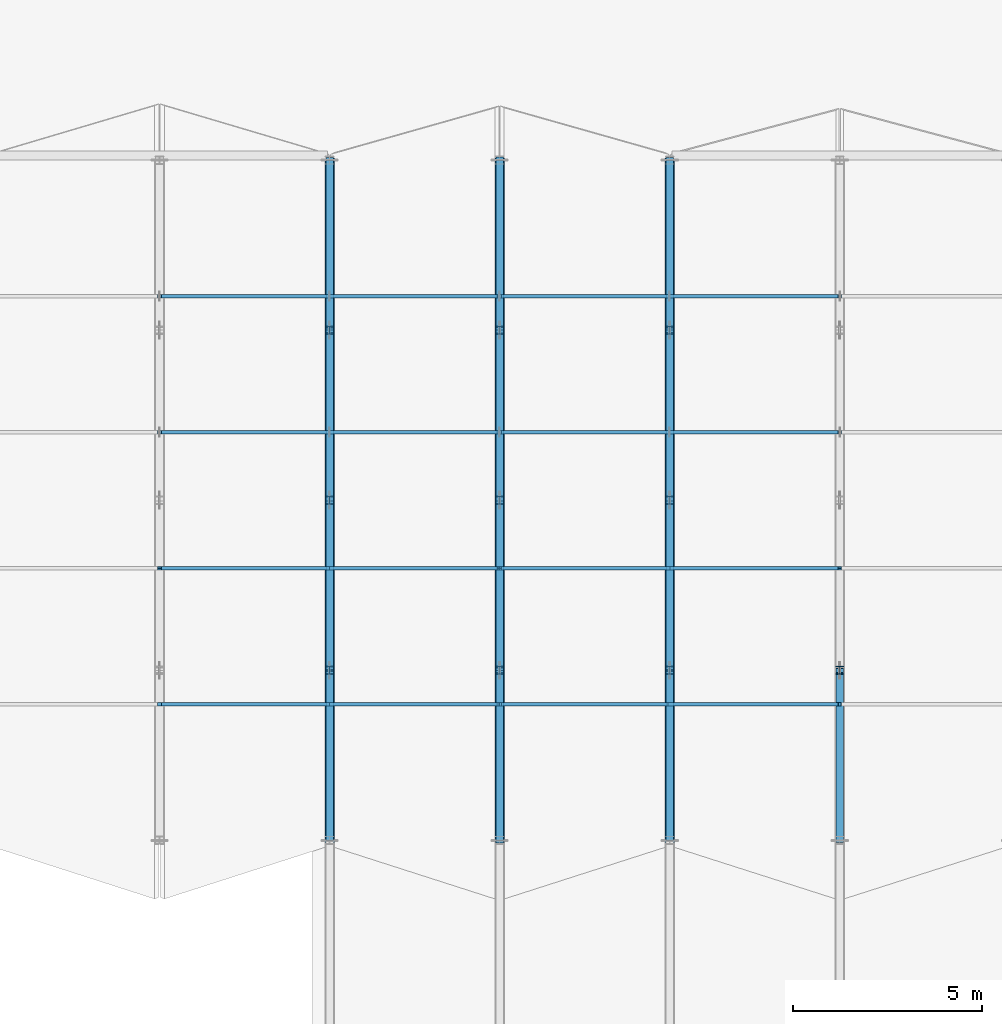
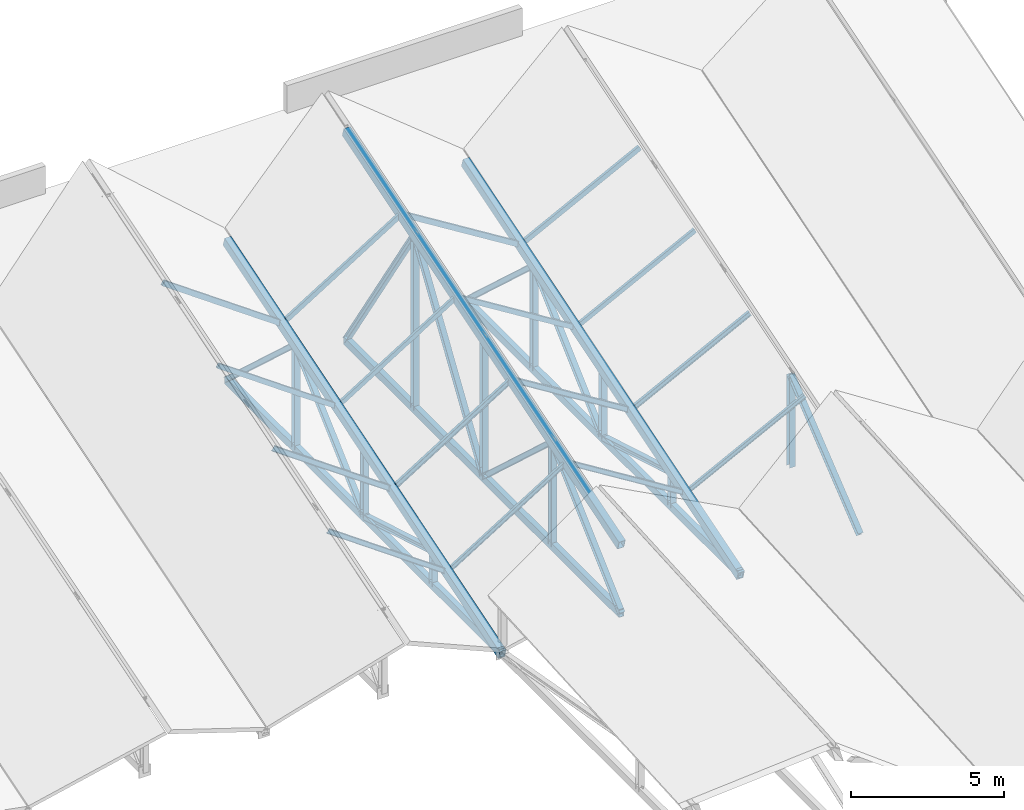
# One storey, part 66 of 142: 45 members.
"""IFC4 building model written with IfcOpenShell, lengths in metres."""

from ifc_helpers import new_model, si_unit, direction, frame, origin, origin_2d, place, context, subcontext, project, spatial, hollow_rectangle, i_section, extrude, material, material_profile, profile_set, type_object, element, save


model = new_model("IFC4")

# Units and contexts
model_context = context("Model", 3, precision=1e-05, world=origin(), true_north=direction((0.0, 1.0)))
body_context = subcontext(model_context, "Body", "Model", "MODEL_VIEW")
ifc_project = project(units=[si_unit("LENGTHUNIT", "METRE"), si_unit("AREAUNIT", "SQUARE_METRE"), si_unit("VOLUMEUNIT", "CUBIC_METRE"), si_unit("PLANEANGLEUNIT", "RADIAN"), si_unit("MASSUNIT", "GRAM", prefix="KILO")], contexts=[model_context])

# Site, building, storey
site_placement = place(None, origin())
site = spatial("IfcSite", under=ifc_project, at=site_placement, CompositionType="ELEMENT")
building_placement = place(site_placement, origin())
building = spatial("IfcBuilding", under=site, at=building_placement, Name="Montelvaro Courts of Justice", CompositionType="ELEMENT")
storey_placement = place(building_placement, frame((0.0, 0.0, 14.39990234375)))
storey = spatial("IfcBuildingStorey", under=building, at=storey_placement, Name="L03", CompositionType="ELEMENT", Elevation=14.39990234375)

# Members
ifc_material = material(Name="Steel S355", Category="steel")
ifc_material_profile_1 = material_profile(ifc_material, i_section(OverallWidth=0.199951171875, OverallDepth=0.18994140625, WebThickness=0.006591796875, FlangeThickness=0.010009765625, at=origin_2d()), Name="HEA 200")
ifc_profile_set_1 = profile_set([ifc_material_profile_1], Name="Steel S355")
member_type_1 = type_object("IfcMemberType", Name="Mem_HEA200_Brace", PredefinedType="BRACE", material=ifc_profile_set_1)
for number, where, z_axis, x_axis, name in (
    (1, (54.0, 78.0, -0.2998046875), (0.0, 0.959000997748, 0.283402692857), (-1.0, 0.0, 0.0), "Roof Truss Web MB-02 ROOF-V1-VTR05-W1"),
    (2, (54.0, 82.5, 1.030029296875), (0.0, 0.959000997748, -0.283402692857), (-1.0, 0.0, 0.0), "Roof Truss Web MB-02 ROOF-V1-VTR05-W2"),
):
    element("IfcMember", number, at=place(storey_placement, frame(where, z_axis=z_axis, x_axis=x_axis)), inside=storey, type_object=member_type_1, Name=name, PredefinedType="BRACE", context=body_context, shape_type="SweptSolid", body=[
        extrude(i_section(OverallWidth=0.199951171875, OverallDepth=0.18994140625, WebThickness=0.006591796875, FlangeThickness=0.010009765625, at=origin_2d()), origin(), (0.0, 0.0, 1.0), 4.6923828125),
    ])
for number, where, z_axis, x_axis, name in (
    (3, (54.0, 87.0, -0.2998046875), (0.0, 0.736755804956, 0.676158919089), (-1.0, 0.0, 0.0), "Roof Truss Web MB-02 ROOF-V1-VTR05-W3"),
    (4, (54.0, 91.5, 3.830078125), (0.0, 0.736755804956, -0.676158919089), (-1.0, 0.0, 0.0), "Roof Truss Web MB-02 ROOF-V1-VTR05-W4"),
):
    element("IfcMember", number, at=place(storey_placement, frame(where, z_axis=z_axis, x_axis=x_axis)), inside=storey, type_object=member_type_1, Name=name, PredefinedType="BRACE", context=body_context, shape_type="SweptSolid", body=[
        extrude(i_section(OverallWidth=0.199951171875, OverallDepth=0.18994140625, WebThickness=0.006591796875, FlangeThickness=0.010009765625, at=origin_2d()), origin(), (0.0, 0.0, 1.0), 6.10791015625),
    ])
for number, where, z_axis, x_axis, name in (
    (5, (63.0, 78.0, -0.2998046875), (0.0, 0.959000997748, 0.283402692857), (-1.0, 0.0, 0.0), "Roof Truss Web MB-02 ROOF-V1-VTR06-W1"),
    (6, (63.0, 82.5, 1.030029296875), (0.0, 0.959000997748, -0.283402692857), (-1.0, 0.0, 0.0), "Roof Truss Web MB-02 ROOF-V1-VTR06-W2"),
):
    element("IfcMember", number, at=place(storey_placement, frame(where, z_axis=z_axis, x_axis=x_axis)), inside=storey, type_object=member_type_1, Name=name, PredefinedType="BRACE", context=body_context, shape_type="SweptSolid", body=[
        extrude(i_section(OverallWidth=0.199951171875, OverallDepth=0.18994140625, WebThickness=0.006591796875, FlangeThickness=0.010009765625, at=origin_2d()), origin(), (0.0, 0.0, 1.0), 4.6923828125),
    ])
for number, where, z_axis, x_axis, name in (
    (7, (63.0, 87.0, -0.2998046875), (0.0, 0.736755804956, 0.676158919089), (-1.0, 0.0, 0.0), "Roof Truss Web MB-02 ROOF-V1-VTR06-W3"),
    (8, (63.0, 91.5, 3.830078125), (0.0, 0.736755804956, -0.676158919089), (-1.0, 0.0, 0.0), "Roof Truss Web MB-02 ROOF-V1-VTR06-W4"),
    (9, (58.5, 78.0, -0.2998046875), (0.0, 0.736755804956, 0.676158919089), (-1.0, 0.0, 0.0), "Roof Truss Web MB-02 ROOF-V1-RTR05-W1"),
    (10, (58.5, 82.5, 3.830078125), (0.0, 0.736755804956, -0.676158919089), (-1.0, 0.0, 0.0), "Roof Truss Web MB-02 ROOF-V1-RTR05-W2"),
):
    element("IfcMember", number, at=place(storey_placement, frame(where, z_axis=z_axis, x_axis=x_axis)), inside=storey, type_object=member_type_1, Name=name, PredefinedType="BRACE", context=body_context, shape_type="SweptSolid", body=[
        extrude(i_section(OverallWidth=0.199951171875, OverallDepth=0.18994140625, WebThickness=0.006591796875, FlangeThickness=0.010009765625, at=origin_2d()), origin(), (0.0, 0.0, 1.0), 6.10791015625),
    ])
for number, where, z_axis, x_axis, name in (
    (11, (58.5, 87.0, -0.2998046875), (0.0, 0.544609221659, 0.838689928212), (-1.0, 0.0, 0.0), "Roof Truss Web MB-02 ROOF-V1-RTR05-W3"),
    (12, (58.5, 91.5, 6.630126953125), (0.0, 0.544609221659, -0.838689928212), (-1.0, 0.0, 0.0), "Roof Truss Web MB-02 ROOF-V1-RTR05-W4"),
):
    element("IfcMember", number, at=place(storey_placement, frame(where, z_axis=z_axis, x_axis=x_axis)), inside=storey, type_object=member_type_1, Name=name, PredefinedType="BRACE", context=body_context, shape_type="SweptSolid", body=[
        extrude(i_section(OverallWidth=0.199951171875, OverallDepth=0.18994140625, WebThickness=0.006591796875, FlangeThickness=0.010009765625, at=origin_2d()), origin(), (0.0, 0.0, 1.0), 8.2626953125),
    ])
member_1_placement = place(storey_placement, frame((67.5, 78.0, -0.2998046875), z_axis=(0.0, 0.778341146089, 0.627841588544), x_axis=(-1.0, 0.0, 0.0)))
element("IfcMember", 13, at=member_1_placement, inside=storey, type_object=member_type_1, Name="Roof Truss Web MB-02 ROOF-V1-RTR06-W1", PredefinedType="BRACE", context=body_context, shape_type="SweptSolid", body=[
    extrude(i_section(OverallWidth=0.199951171875, OverallDepth=0.18994140625, WebThickness=0.006591796875, FlangeThickness=0.010009765625, at=origin_2d()), origin(), (0.0, 0.0, 1.0), 5.781494140625),
])
ifc_material_profile_2 = material_profile(ifc_material, i_section(OverallWidth=0.219970703125, OverallDepth=0.2099609375, WebThickness=0.007080078125, FlangeThickness=0.010986328125, at=origin_2d()), Name="HEA 220")
ifc_profile_set_2 = profile_set([ifc_material_profile_2], Name="Steel S355")
member_type_2 = type_object("IfcMemberType", Name="Mem_HEA220_Post", PredefinedType="POST", material=ifc_profile_set_2)
member_2_placement = place(storey_placement, frame((54.0, 82.5, -0.2998046875), z_axis=(0.0, 0.0, 1.0), x_axis=(1.0, 0.0, 0.0)))
element("IfcMember", 14, at=member_2_placement, inside=storey, type_object=member_type_2, Name="Roof Truss Post MP-03 ROOF-V1-VTR05-V1", PredefinedType="POST", context=body_context, shape_type="SweptSolid", body=[
    extrude(i_section(OverallWidth=0.219970703125, OverallDepth=0.2099609375, WebThickness=0.007080078125, FlangeThickness=0.010986328125, at=origin_2d()), origin(), (0.0, 0.0, 1.0), 1.329833984375),
])
member_3_placement = place(storey_placement, frame((54.0, 87.0, -0.2998046875), z_axis=(0.0, 0.0, 1.0), x_axis=(1.0, 0.0, 0.0)))
element("IfcMember", 15, at=member_3_placement, inside=storey, type_object=member_type_2, Name="Roof Truss Post MP-03 ROOF-V1-VTR05-V2", PredefinedType="POST", context=body_context, shape_type="SweptSolid", body=[
    extrude(i_section(OverallWidth=0.219970703125, OverallDepth=0.2099609375, WebThickness=0.007080078125, FlangeThickness=0.010986328125, at=origin_2d()), origin(), (0.0, 0.0, 1.0), 2.72998046875),
])
member_4_placement = place(storey_placement, frame((54.0, 91.5, -0.2998046875), z_axis=(0.0, 0.0, 1.0), x_axis=(1.0, 0.0, 0.0)))
element("IfcMember", 16, at=member_4_placement, inside=storey, type_object=member_type_2, Name="Roof Truss Post MP-03 ROOF-V1-VTR05-V3", PredefinedType="POST", context=body_context, shape_type="SweptSolid", body=[
    extrude(i_section(OverallWidth=0.219970703125, OverallDepth=0.2099609375, WebThickness=0.007080078125, FlangeThickness=0.010986328125, at=origin_2d()), origin(), (0.0, 0.0, 1.0), 4.1298828125),
])
member_5_placement = place(storey_placement, frame((63.0, 82.5, -0.2998046875), z_axis=(0.0, 0.0, 1.0), x_axis=(1.0, 0.0, 0.0)))
element("IfcMember", 17, at=member_5_placement, inside=storey, type_object=member_type_2, Name="Roof Truss Post MP-03 ROOF-V1-VTR06-V1", PredefinedType="POST", context=body_context, shape_type="SweptSolid", body=[
    extrude(i_section(OverallWidth=0.219970703125, OverallDepth=0.2099609375, WebThickness=0.007080078125, FlangeThickness=0.010986328125, at=origin_2d()), origin(), (0.0, 0.0, 1.0), 1.329833984375),
])
member_6_placement = place(storey_placement, frame((63.0, 87.0, -0.2998046875), z_axis=(0.0, 0.0, 1.0), x_axis=(1.0, 0.0, 0.0)))
element("IfcMember", 18, at=member_6_placement, inside=storey, type_object=member_type_2, Name="Roof Truss Post MP-03 ROOF-V1-VTR06-V2", PredefinedType="POST", context=body_context, shape_type="SweptSolid", body=[
    extrude(i_section(OverallWidth=0.219970703125, OverallDepth=0.2099609375, WebThickness=0.007080078125, FlangeThickness=0.010986328125, at=origin_2d()), origin(), (0.0, 0.0, 1.0), 2.72998046875),
])
for number, where, z_axis, x_axis, name in (
    (19, (63.0, 91.5, -0.2998046875), (0.0, 0.0, 1.0), (1.0, 0.0, 0.0), "Roof Truss Post MP-03 ROOF-V1-VTR06-V3"),
    (20, (58.5, 82.5, -0.2998046875), (0.0, 0.0, 1.0), (1.0, 0.0, 0.0), "Roof Truss Post MP-03 ROOF-V1-RTR05-V1"),
):
    element("IfcMember", number, at=place(storey_placement, frame(where, z_axis=z_axis, x_axis=x_axis)), inside=storey, type_object=member_type_2, Name=name, PredefinedType="POST", context=body_context, shape_type="SweptSolid", body=[
        extrude(i_section(OverallWidth=0.219970703125, OverallDepth=0.2099609375, WebThickness=0.007080078125, FlangeThickness=0.010986328125, at=origin_2d()), origin(), (0.0, 0.0, 1.0), 4.1298828125),
    ])
member_7_placement = place(storey_placement, frame((58.5, 87.0, -0.2998046875), z_axis=(0.0, 0.0, 1.0), x_axis=(1.0, 0.0, 0.0)))
element("IfcMember", 21, at=member_7_placement, inside=storey, type_object=member_type_2, Name="Roof Truss Post MP-03 ROOF-V1-RTR05-V2", PredefinedType="POST", context=body_context, shape_type="SweptSolid", body=[
    extrude(i_section(OverallWidth=0.219970703125, OverallDepth=0.2099609375, WebThickness=0.007080078125, FlangeThickness=0.010986328125, at=origin_2d()), origin(), (0.0, 0.0, 1.0), 5.52978515625),
])
member_8_placement = place(storey_placement, frame((58.5, 91.5, -0.2998046875), z_axis=(0.0, 0.0, 1.0), x_axis=(1.0, 0.0, 0.0)))
element("IfcMember", 22, at=member_8_placement, inside=storey, type_object=member_type_2, Name="Roof Truss Post MP-03 ROOF-V1-RTR05-V3", PredefinedType="POST", context=body_context, shape_type="SweptSolid", body=[
    extrude(i_section(OverallWidth=0.219970703125, OverallDepth=0.2099609375, WebThickness=0.007080078125, FlangeThickness=0.010986328125, at=origin_2d()), origin(), (0.0, 0.0, 1.0), 6.929931640625),
])
member_9_placement = place(storey_placement, frame((67.5, 82.5, -0.2998046875), z_axis=(0.0, 0.0, 1.0), x_axis=(1.0, 0.0, 0.0)))
element("IfcMember", 23, at=member_9_placement, inside=storey, type_object=member_type_2, Name="Roof Truss Post MP-03 ROOF-V1-RTR06-V1", PredefinedType="POST", context=body_context, shape_type="SweptSolid", body=[
    extrude(i_section(OverallWidth=0.219970703125, OverallDepth=0.2099609375, WebThickness=0.007080078125, FlangeThickness=0.010986328125, at=origin_2d()), origin(), (0.0, 0.0, 1.0), 3.6298828125),
])
ifc_material_profile_3 = material_profile(ifc_material, i_section(OverallWidth=0.091064453125, OverallDepth=0.179931640625, WebThickness=0.00537109375, FlangeThickness=0.008056640625, at=origin_2d()), Name="IPE 180")
ifc_profile_set_3 = profile_set([ifc_material_profile_3], Name="Steel S355")
member_type_3 = type_object("IfcMemberType", Name="Mem_IPE180_Purlin", PredefinedType="PURLIN", material=ifc_profile_set_3)
member_10_placement = place(storey_placement, frame((49.5, 81.60009765625, 3.9501953125), z_axis=(0.814938619191, 0.0, -0.57954727758), x_axis=(0.0, 1.0, 0.0)))
element("IfcMember", 24, at=member_10_placement, inside=storey, type_object=member_type_3, Name="Roof Purlin MR-01 ROOF-V1-PRL-04-1R", PredefinedType="PURLIN", context=body_context, shape_type="SweptSolid", body=[
    extrude(i_section(OverallWidth=0.091064453125, OverallDepth=0.179931640625, WebThickness=0.00537109375, FlangeThickness=0.008056640625, at=origin_2d()), origin(), (0.0, 0.0, 1.0), 5.52197265625),
])
for number, where, z_axis, x_axis, name in (
    (25, (54.0, 81.60009765625, 0.75), (0.849052471267, 0.0, 0.528308528264), (0.0, 1.0, 0.0), "Roof Purlin MR-01 ROOF-V1-PRL-05-1L"),
    (26, (58.5, 81.60009765625, 3.550048828125), (0.849052471267, 0.0, -0.528308528264), (0.0, 1.0, 0.0), "Roof Purlin MR-01 ROOF-V1-PRL-05-1R"),
):
    element("IfcMember", number, at=place(storey_placement, frame(where, z_axis=z_axis, x_axis=x_axis)), inside=storey, type_object=member_type_3, Name=name, PredefinedType="PURLIN", context=body_context, shape_type="SweptSolid", body=[
        extrude(i_section(OverallWidth=0.091064453125, OverallDepth=0.179931640625, WebThickness=0.00537109375, FlangeThickness=0.008056640625, at=origin_2d()), origin(), (0.0, 0.0, 1.0), 5.300048828125),
    ])
member_11_placement = place(storey_placement, frame((63.0, 81.60009765625, 0.75), z_axis=(0.890430766754, 0.0, 0.455118720355), x_axis=(0.0, 1.0, 0.0)))
element("IfcMember", 27, at=member_11_placement, inside=storey, type_object=member_type_3, Name="Roof Purlin MR-01 ROOF-V1-PRL-06-1L", PredefinedType="PURLIN", context=body_context, shape_type="SweptSolid", body=[
    extrude(i_section(OverallWidth=0.091064453125, OverallDepth=0.179931640625, WebThickness=0.00537109375, FlangeThickness=0.008056640625, at=origin_2d()), origin(), (0.0, 0.0, 1.0), 5.0537109375),
])
ifc_material_profile_4 = material_profile(ifc_material, i_section(OverallWidth=0.10009765625, OverallDepth=0.199951171875, WebThickness=0.005615234375, FlangeThickness=0.008544921875, at=origin_2d()), Name="IPE 200")
ifc_profile_set_4 = profile_set([ifc_material_profile_4], Name="Steel S355")
member_type_4 = type_object("IfcMemberType", Name="Mem_IPE200_Purlin", PredefinedType="PURLIN", material=ifc_profile_set_4)
member_12_placement = place(storey_placement, frame((49.5, 85.199951171875, 5.070068359375), z_axis=(0.814959500914, 0.0, -0.579517913329), x_axis=(0.0, 1.0, 0.0)))
element("IfcMember", 28, at=member_12_placement, inside=storey, type_object=member_type_4, Name="Roof Purlin MR-02 ROOF-V1-PRL-04-2R", PredefinedType="PURLIN", context=body_context, shape_type="SweptSolid", body=[
    extrude(i_section(OverallWidth=0.10009765625, OverallDepth=0.199951171875, WebThickness=0.005615234375, FlangeThickness=0.008544921875, at=origin_2d()), origin(), (0.0, 0.0, 1.0), 5.521728515625),
])
for number, where, z_axis, x_axis, name in (
    (29, (54.0, 85.199951171875, 1.8701171875), (0.849052471267, 0.0, 0.528308528264), (0.0, 1.0, 0.0), "Roof Purlin MR-02 ROOF-V1-PRL-05-2L"),
    (30, (58.5, 85.199951171875, 4.670166015625), (0.849052471267, 0.0, -0.528308528264), (0.0, 1.0, 0.0), "Roof Purlin MR-02 ROOF-V1-PRL-05-2R"),
):
    element("IfcMember", number, at=place(storey_placement, frame(where, z_axis=z_axis, x_axis=x_axis)), inside=storey, type_object=member_type_4, Name=name, PredefinedType="PURLIN", context=body_context, shape_type="SweptSolid", body=[
        extrude(i_section(OverallWidth=0.10009765625, OverallDepth=0.199951171875, WebThickness=0.005615234375, FlangeThickness=0.008544921875, at=origin_2d()), origin(), (0.0, 0.0, 1.0), 5.300048828125),
    ])
member_13_placement = place(storey_placement, frame((63.0, 85.199951171875, 1.8701171875), z_axis=(0.890430766754, 0.0, 0.455118720355), x_axis=(0.0, 1.0, 0.0)))
element("IfcMember", 31, at=member_13_placement, inside=storey, type_object=member_type_4, Name="Roof Purlin MR-02 ROOF-V1-PRL-06-2L", PredefinedType="PURLIN", context=body_context, shape_type="SweptSolid", body=[
    extrude(i_section(OverallWidth=0.10009765625, OverallDepth=0.199951171875, WebThickness=0.005615234375, FlangeThickness=0.008544921875, at=origin_2d()), origin(), (0.0, 0.0, 1.0), 5.0537109375),
])
ifc_material_profile_5 = material_profile(ifc_material, hollow_rectangle(XDim=0.10009765625, YDim=0.179931640625, WallThickness=0.008056640625, at=origin_2d()), Name="RHS 180x100x8")
ifc_profile_set_5 = profile_set([ifc_material_profile_5], Name="Steel S355")
member_type_5 = type_object("IfcMemberType", Name="Mem_RHS180_Purlin", PredefinedType="PURLIN", material=ifc_profile_set_5)
member_14_placement = place(storey_placement, frame((49.5, 88.800048828125, 6.190185546875), z_axis=(0.814938619191, 0.0, -0.57954727758), x_axis=(0.0, 1.0, 0.0)))
element("IfcMember", 32, at=member_14_placement, inside=storey, type_object=member_type_5, Name="Roof Purlin MR-03 ROOF-V1-PRL-04-3R", PredefinedType="PURLIN", context=body_context, shape_type="SweptSolid", body=[
    extrude(hollow_rectangle(XDim=0.10009765625, YDim=0.179931640625, WallThickness=0.008056640625, at=origin_2d()), origin(), (0.0, 0.0, 1.0), 5.52197265625),
])
for number, where, z_axis, x_axis, name in (
    (33, (54.0, 88.800048828125, 2.989990234375), (0.849052471267, 0.0, 0.528308528264), (0.0, 1.0, 0.0), "Roof Purlin MR-03 ROOF-V1-PRL-05-3L"),
    (34, (58.5, 88.800048828125, 5.7900390625), (0.849052471267, 0.0, -0.528308528264), (0.0, 1.0, 0.0), "Roof Purlin MR-03 ROOF-V1-PRL-05-3R"),
):
    element("IfcMember", number, at=place(storey_placement, frame(where, z_axis=z_axis, x_axis=x_axis)), inside=storey, type_object=member_type_5, Name=name, PredefinedType="PURLIN", context=body_context, shape_type="SweptSolid", body=[
        extrude(hollow_rectangle(XDim=0.10009765625, YDim=0.179931640625, WallThickness=0.008056640625, at=origin_2d()), origin(), (0.0, 0.0, 1.0), 5.300048828125),
    ])
member_15_placement = place(storey_placement, frame((63.0, 88.800048828125, 2.989990234375), z_axis=(0.890430766754, 0.0, 0.455118720355), x_axis=(0.0, 1.0, 0.0)))
element("IfcMember", 35, at=member_15_placement, inside=storey, type_object=member_type_5, Name="Roof Purlin MR-03 ROOF-V1-PRL-06-3L", PredefinedType="PURLIN", context=body_context, shape_type="SweptSolid", body=[
    extrude(hollow_rectangle(XDim=0.10009765625, YDim=0.179931640625, WallThickness=0.008056640625, at=origin_2d()), origin(), (0.0, 0.0, 1.0), 5.0537109375),
])
ifc_material_profile_6 = material_profile(ifc_material, hollow_rectangle(XDim=0.10009765625, YDim=0.199951171875, WallThickness=0.008056640625, at=origin_2d()), Name="RHS 200x100x8")
ifc_profile_set_6 = profile_set([ifc_material_profile_6], Name="Steel S355")
member_type_6 = type_object("IfcMemberType", Name="Mem_RHS200_Purlin", PredefinedType="PURLIN", material=ifc_profile_set_6)
member_16_placement = place(storey_placement, frame((49.5, 92.39990234375, 7.31005859375), z_axis=(0.814959500914, 0.0, -0.579517913329), x_axis=(0.0, 1.0, 0.0)))
element("IfcMember", 36, at=member_16_placement, inside=storey, type_object=member_type_6, Name="Roof Purlin MR-04 ROOF-V1-PRL-04-4R", PredefinedType="PURLIN", context=body_context, shape_type="SweptSolid", body=[
    extrude(hollow_rectangle(XDim=0.10009765625, YDim=0.199951171875, WallThickness=0.008056640625, at=origin_2d()), origin(), (0.0, 0.0, 1.0), 5.521728515625),
])
for number, where, z_axis, x_axis, name in (
    (37, (54.0, 92.39990234375, 4.110107421875), (0.849052471267, 0.0, 0.528308528264), (0.0, 1.0, 0.0), "Roof Purlin MR-04 ROOF-V1-PRL-05-4L"),
    (38, (58.5, 92.39990234375, 6.91015625), (0.849052471267, 0.0, -0.528308528264), (0.0, 1.0, 0.0), "Roof Purlin MR-04 ROOF-V1-PRL-05-4R"),
):
    element("IfcMember", number, at=place(storey_placement, frame(where, z_axis=z_axis, x_axis=x_axis)), inside=storey, type_object=member_type_6, Name=name, PredefinedType="PURLIN", context=body_context, shape_type="SweptSolid", body=[
        extrude(hollow_rectangle(XDim=0.10009765625, YDim=0.199951171875, WallThickness=0.008056640625, at=origin_2d()), origin(), (0.0, 0.0, 1.0), 5.300048828125),
    ])
member_17_placement = place(storey_placement, frame((63.0, 92.39990234375, 4.110107421875), z_axis=(0.890430766754, 0.0, 0.455118720355), x_axis=(0.0, 1.0, 0.0)))
element("IfcMember", 39, at=member_17_placement, inside=storey, type_object=member_type_6, Name="Roof Purlin MR-04 ROOF-V1-PRL-06-4L", PredefinedType="PURLIN", context=body_context, shape_type="SweptSolid", body=[
    extrude(hollow_rectangle(XDim=0.10009765625, YDim=0.199951171875, WallThickness=0.008056640625, at=origin_2d()), origin(), (0.0, 0.0, 1.0), 5.0537109375),
])
ifc_material_profile_7 = material_profile(ifc_material, hollow_rectangle(XDim=0.199951171875, YDim=0.300048828125, WallThickness=0.012451171875, at=origin_2d()), Name="RHS 300x200x12.5")
ifc_profile_set_7 = profile_set([ifc_material_profile_7], Name="Steel S355")
member_type_7 = type_object("IfcMemberType", Name="Mem_RHS300_Chord", PredefinedType="CHORD", material=ifc_profile_set_7)
for number, where, z_axis, x_axis, name in (
    (40, (54.0, 78.0, -0.2998046875), (0.0, 1.0, 0.0), (-1.0, 0.0, 0.0), "Roof Truss ROOF-V1-VTR05 Bottom Chord"),
    (41, (63.0, 78.0, -0.2998046875), (0.0, 1.0, 0.0), (-1.0, 0.0, 0.0), "Roof Truss ROOF-V1-VTR06 Bottom Chord"),
    (42, (58.5, 78.0, -0.2998046875), (0.0, 1.0, 0.0), (-1.0, 0.0, 0.0), "Roof Truss ROOF-V1-RTR05 Bottom Chord"),
):
    element("IfcMember", number, at=place(storey_placement, frame(where, z_axis=z_axis, x_axis=x_axis)), inside=storey, type_object=member_type_7, Name=name, PredefinedType="CHORD", context=body_context, shape_type="SweptSolid", body=[
        extrude(hollow_rectangle(XDim=0.199951171875, YDim=0.300048828125, WallThickness=0.012451171875, at=origin_2d()), origin(), (0.0, 0.0, 1.0), 18.0),
    ])
ifc_material_profile_8 = material_profile(ifc_material, hollow_rectangle(XDim=0.25, YDim=0.35009765625, WallThickness=0.012451171875, at=origin_2d()), Name="RHS 350x250x12.5")
ifc_profile_set_8 = profile_set([ifc_material_profile_8], Name="Steel S355")
member_type_8 = type_object("IfcMemberType", Name="Mem_RHS350_Chord", PredefinedType="CHORD", material=ifc_profile_set_8)
for number, where, z_axis, x_axis, name in (
    (43, (54.0, 78.0, -0.369873046875), (0.0, 0.9548589805, 0.297059467715), (-1.0, 0.0, 0.0), "Roof Truss ROOF-V1-VTR05 Top Chord"),
    (44, (63.0, 78.0, -0.369873046875), (0.0, 0.9548589805, 0.297059467715), (-1.0, 0.0, 0.0), "Roof Truss ROOF-V1-VTR06 Top Chord"),
    (45, (58.5, 78.0, 2.43017578125), (0.0, 0.9548589805, 0.297059467715), (-1.0, 0.0, 0.0), "Roof Truss ROOF-V1-RTR05 Top Chord"),
):
    element("IfcMember", number, at=place(storey_placement, frame(where, z_axis=z_axis, x_axis=x_axis)), inside=storey, type_object=member_type_8, Name=name, PredefinedType="CHORD", context=body_context, shape_type="SweptSolid", body=[
        extrude(hollow_rectangle(XDim=0.25, YDim=0.35009765625, WallThickness=0.012451171875, at=origin_2d()), origin(), (0.0, 0.0, 1.0), 18.850830078125),
    ])

save(model, "model.ifc")
